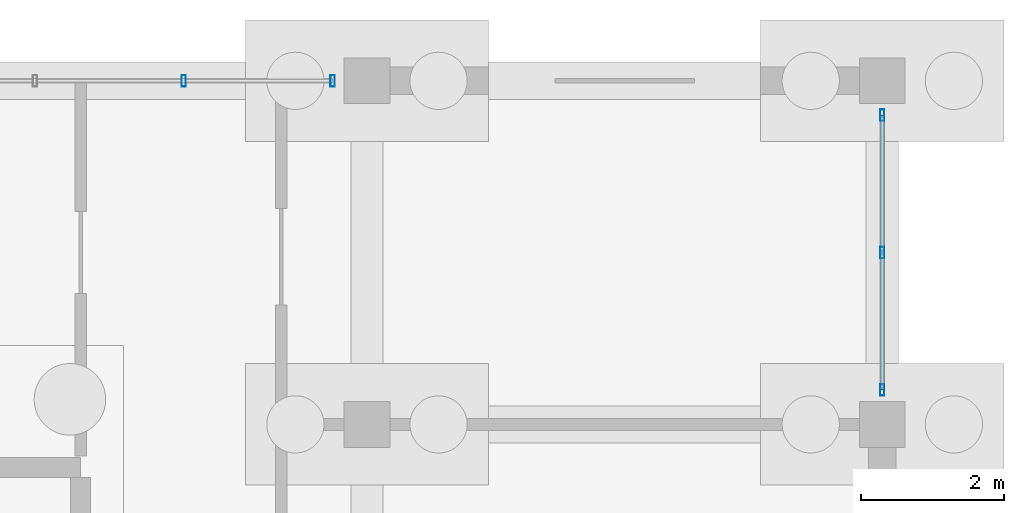
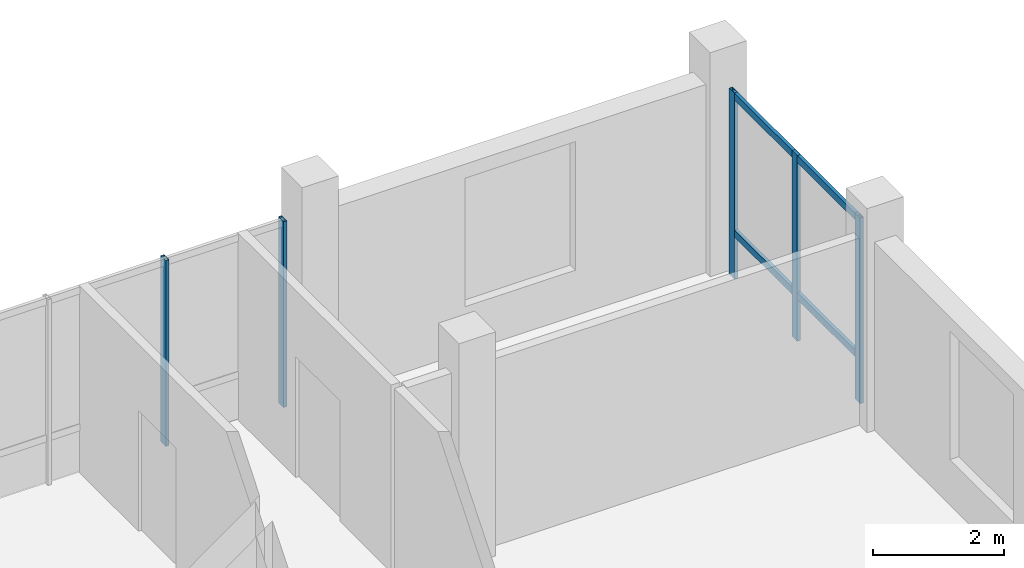
# One storey, part 64 of 98: 7 members, 2 elements without a shape of their own.
"""IFC4 building model written with IfcOpenShell, lengths in metres."""

from ifc_helpers import new_model, si_unit, direction, frame, origin, origin_2d, place, context, subcontext, project, spatial, hollow_rectangle, extrude, material, material_profile, profile_set, type_object, element, aggregate, save


model = new_model("IFC4")

# Units and contexts
model_context = context("Model", 3, precision=1e-05, world=origin(), true_north=direction((0.0, 1.0)))
body_context = subcontext(model_context, "Body", "Model", "MODEL_VIEW")
ifc_project = project(units=[si_unit("LENGTHUNIT", "METRE"), si_unit("AREAUNIT", "SQUARE_METRE"), si_unit("VOLUMEUNIT", "CUBIC_METRE"), si_unit("PLANEANGLEUNIT", "RADIAN"), si_unit("MASSUNIT", "GRAM", prefix="KILO")], contexts=[model_context])

# Site, building, storey
site_placement = place(None, origin())
site = spatial("IfcSite", under=ifc_project, at=site_placement, CompositionType="ELEMENT")
building_placement = place(site_placement, origin())
building = spatial("IfcBuilding", under=site, at=building_placement, Name="Zornivar Specialist Clinic", CompositionType="ELEMENT")
storey_placement = place(building_placement, origin())
storey = spatial("IfcBuildingStorey", under=building, at=storey_placement, Name="L00", CompositionType="ELEMENT", Elevation=0.0)

# Curtain wall, members
ifc_material_1 = material(Name="Aluminium and Low-E Glass Curtain Wall", Category="aluminium")
curtain_wall_type = type_object("IfcCurtainWallType", Name="CW-LAB-NORTH", PredefinedType="NOTDEFINED", material=ifc_material_1)
curtain_wall_1_placement = place(storey_placement, origin())
curtain_wall_1 = element("IfcCurtainWall", 1, at=curtain_wall_1_placement, inside=storey, type_object=curtain_wall_type, Name="cw:V6:L00:10", PredefinedType="NOTDEFINED")
ifc_material_2 = material(Name="Aluminium AW-6060", Category="aluminium")
ifc_material_profile_1 = material_profile(ifc_material_2, hollow_rectangle(XDim=0.06005859375, YDim=0.159912109375, WallThickness=0.00390625, at=origin_2d()), Name="ALU 60x160x4")
ifc_profile_set_1 = profile_set([ifc_material_profile_1], Name="Aluminium AW-6060")
member_type_1 = type_object("IfcMemberType", Name="CWM-MUL-160", PredefinedType="MULLION", material=ifc_profile_set_1)
member_1_placement = place(storey_placement, frame((165.60009765625, 108.47998046875, 0.0), z_axis=(0.0, 0.0, 1.0), x_axis=(1.0, 0.0, 0.0)))
member_1 = element("IfcMember", 2, at=member_1_placement, type_object=member_type_1, Name="cw:V6:L00:10:mul:0", PredefinedType="MULLION", context=body_context, shape_type="SweptSolid", body=[
    extrude(hollow_rectangle(XDim=0.06005859375, YDim=0.159912109375, WallThickness=0.00390625, at=origin_2d()), origin(), (0.0, 0.0, 1.0), 3.469970703125),
])
member_2_placement = place(storey_placement, frame((165.60009765625, 110.39990234375, 0.0), z_axis=(0.0, 0.0, 1.0), x_axis=(1.0, 0.0, 0.0)))
member_2 = element("IfcMember", 3, at=member_2_placement, type_object=member_type_1, Name="cw:V6:L00:10:mul:1", PredefinedType="MULLION", context=body_context, shape_type="SweptSolid", body=[
    extrude(hollow_rectangle(XDim=0.06005859375, YDim=0.159912109375, WallThickness=0.00390625, at=origin_2d()), origin(), (0.0, 0.0, 1.0), 3.469970703125),
])
member_3_placement = place(storey_placement, frame((165.60009765625, 112.320068359375, 0.0), z_axis=(0.0, 0.0, 1.0), x_axis=(1.0, 0.0, 0.0)))
member_3 = element("IfcMember", 4, at=member_3_placement, type_object=member_type_1, Name="cw:V6:L00:10:mul:2", PredefinedType="MULLION", context=body_context, shape_type="SweptSolid", body=[
    extrude(hollow_rectangle(XDim=0.06005859375, YDim=0.159912109375, WallThickness=0.00390625, at=origin_2d()), origin(), (0.0, 0.0, 1.0), 3.469970703125),
])

curtain_wall_2_placement = place(storey_placement, origin())
curtain_wall_2 = element("IfcCurtainWall", 5, at=curtain_wall_2_placement, inside=storey, type_object=curtain_wall_type, Name="cw:V6:L00:12", PredefinedType="NOTDEFINED")
member_4_placement = place(storey_placement, frame((157.919921875, 112.800048828125, 0.0), z_axis=(0.0, 0.0, 1.0), x_axis=(1.0, 0.0, 0.0)))
member_4 = element("IfcMember", 6, at=member_4_placement, type_object=member_type_1, Name="cw:V6:L00:12:mul:0", PredefinedType="MULLION", context=body_context, shape_type="SweptSolid", body=[
    extrude(hollow_rectangle(XDim=0.06005859375, YDim=0.159912109375, WallThickness=0.00390625, at=origin_2d()), origin(), (0.0, 0.0, 1.0), 3.469970703125),
])
member_5_placement = place(storey_placement, frame((155.840087890625, 112.800048828125, 0.0), z_axis=(0.0, 0.0, 1.0), x_axis=(1.0, 0.0, 0.0)))
member_5 = element("IfcMember", 7, at=member_5_placement, type_object=member_type_1, Name="cw:V6:L00:12:mul:1", PredefinedType="MULLION", context=body_context, shape_type="SweptSolid", body=[
    extrude(hollow_rectangle(XDim=0.06005859375, YDim=0.159912109375, WallThickness=0.00390625, at=origin_2d()), origin(), (0.0, 0.0, 1.0), 3.469970703125),
])
aggregate(curtain_wall_2, [member_4, member_5])

# Member
ifc_material_3 = material(Name="Aluminium AW-6060", Category="aluminium")
ifc_material_profile_2 = material_profile(ifc_material_3, hollow_rectangle(XDim=0.06005859375, YDim=0.1298828125, WallThickness=0.00390625, at=origin_2d()), Name="ALU 60x130x4")
ifc_profile_set_2 = profile_set([ifc_material_profile_2], Name="Aluminium AW-6060")
member_type_2 = type_object("IfcMemberType", Name="CWM-TRN-130", PredefinedType="USERDEFINED", material=ifc_profile_set_2)
member_6_placement = place(storey_placement, frame((165.60009765625, 108.47998046875, 0.85009765625), z_axis=(0.0, 1.0, 0.0), x_axis=(-1.0, 0.0, 0.0)))
member_6 = element("IfcMember", 8, at=member_6_placement, type_object=member_type_2, Name="cw:V6:L00:10:trn:0", ObjectType="TRANSOM", PredefinedType="USERDEFINED", context=body_context, shape_type="SweptSolid", body=[
    extrude(hollow_rectangle(XDim=0.06005859375, YDim=0.1298828125, WallThickness=0.00390625, at=origin_2d()), origin(), (0.0, 0.0, 1.0), 3.840087890625),
])

member_7_placement = place(storey_placement, frame((165.60009765625, 108.47998046875, 3.405029296875), z_axis=(0.0, 1.0, 0.0), x_axis=(-1.0, 0.0, 0.0)))
member_7 = element("IfcMember", 9, at=member_7_placement, type_object=member_type_2, Name="cw:V6:L00:10:trn:1", ObjectType="TRANSOM", PredefinedType="USERDEFINED", context=body_context, shape_type="SweptSolid", body=[
    extrude(hollow_rectangle(XDim=0.06005859375, YDim=0.1298828125, WallThickness=0.00390625, at=origin_2d()), origin(), (0.0, 0.0, 1.0), 3.840087890625),
])

aggregate(curtain_wall_1, [member_1, member_2, member_3, member_6, member_7])

save(model, "model.ifc")
